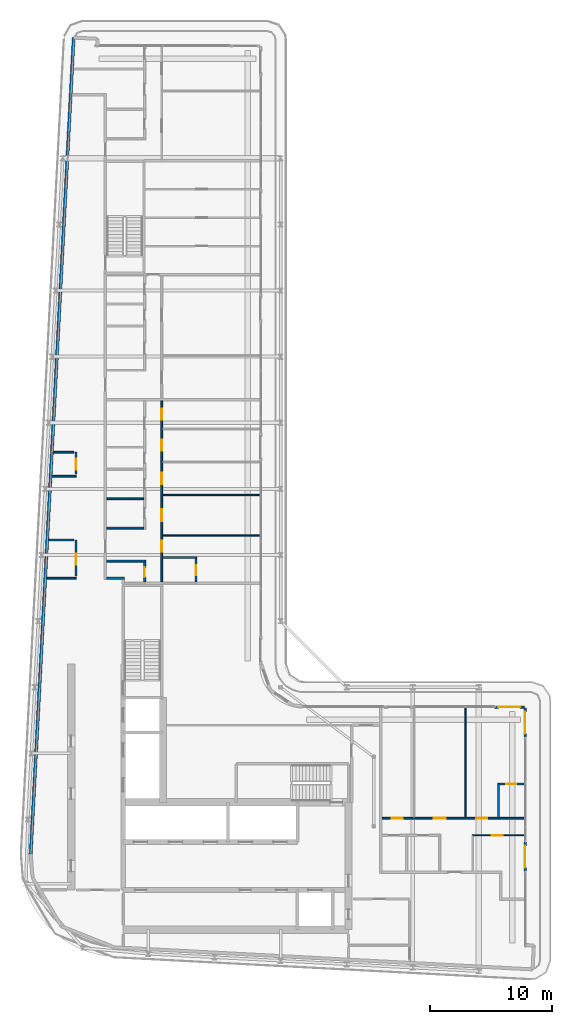
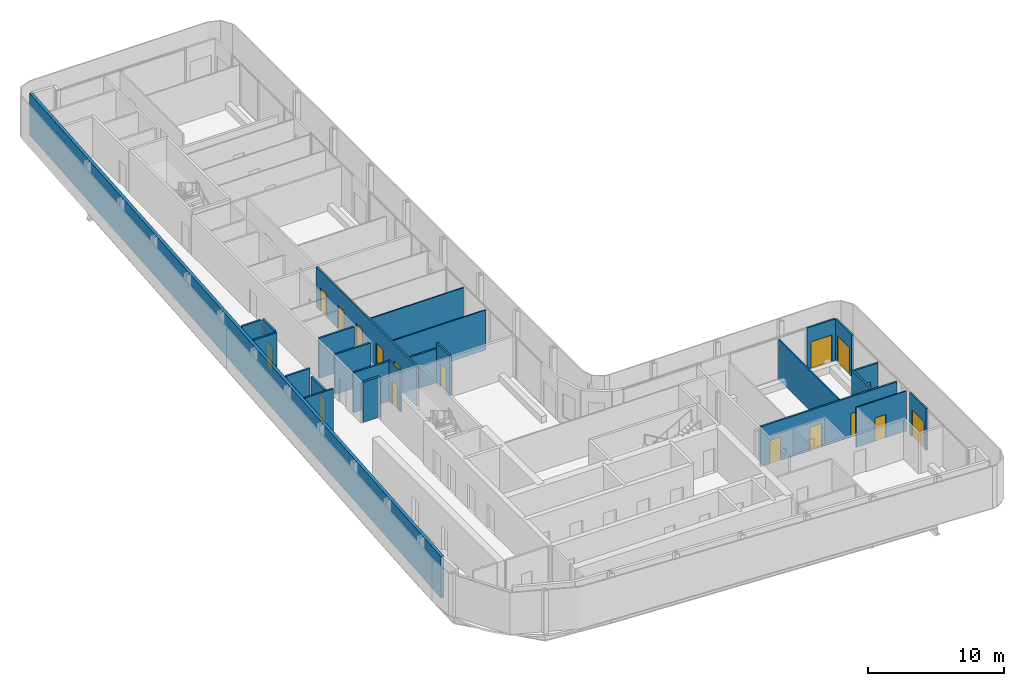
# One storey, part 13 of 21: 25 walls, 17 doors, 17 openings.
"""IFC4 building model written with IfcOpenShell, lengths in metres."""

from ifc_helpers import new_model, si_unit, direction, frame, frame_2d, origin, place, context, subcontext, project, spatial, rectangle, extrude, source, transform, mapped, material, layer, layer_set, type_object, element, fill, save


model = new_model("IFC4")

# Units and contexts
model_context = context("Model", 3, precision=1e-05, world=origin(), true_north=direction((0.0, 1.0)))
body_context = subcontext(model_context, "Body", "Model", "MODEL_VIEW")
ifc_project = project(units=[si_unit("LENGTHUNIT", "METRE"), si_unit("AREAUNIT", "SQUARE_METRE"), si_unit("VOLUMEUNIT", "CUBIC_METRE"), si_unit("PLANEANGLEUNIT", "RADIAN"), si_unit("MASSUNIT", "GRAM", prefix="KILO")], contexts=[model_context])

# Site, building, storey
site_placement = place(None, origin())
site = spatial("IfcSite", under=ifc_project, at=site_placement, CompositionType="ELEMENT")
building_placement = place(site_placement, origin())
building = spatial("IfcBuilding", under=site, at=building_placement, Name="Kheshtan School and Residences Tower", CompositionType="ELEMENT")
storey_placement = place(building_placement, frame((0.0, 0.0, 309.800048828125)))
storey = spatial("IfcBuildingStorey", under=building, at=storey_placement, Name="L73", CompositionType="ELEMENT", Elevation=309.800048828125)

# Walls
ifc_material_1 = material(Name="Gypsum board on steel studs with fire boards", Category="steel")
ifc_layer_1 = layer(ifc_material_1, 0.199951171875)
ifc_layer_set_1 = layer_set([ifc_layer_1], Name="Corridor wall 200")
wall_type_1 = type_object("IfcWallType", Name="Corridor wall 200", PredefinedType="PARTITIONING", material=ifc_layer_set_1)
wall_1_placement = place(storey_placement, frame((33.39990234375, 54.5, 0.0), z_axis=(0.0, 0.0, 1.0), x_axis=(1.0, 0.0, 0.0)))
element("IfcWall", 1, at=wall_1_placement, inside=storey, type_object=wall_type_1, Name="Partition L73-005", PredefinedType="PARTITIONING", context=body_context, shape_type="SweptSolid", body=[
    extrude(rectangle(XDim=1.4501953125, YDim=0.199951171875, at=frame_2d((0.72509765625, 0.0))), origin(), (0.0, 0.0, 1.0), 3.599853515625),
])
ifc_material_2 = material(Name="Concrete C40/50 with ceramic cladding and mineral wool insulation", Category="concrete")
ifc_layer_2 = layer(ifc_material_2, 0.25)
ifc_layer_set_2 = layer_set([ifc_layer_2], Name="External wall 250 ceramic clad")
wall_type_2 = type_object("IfcWallType", Name="External wall 250 ceramic clad", PredefinedType="SOLIDWALL", material=ifc_layer_set_2)
wall_2_placement = place(storey_placement, frame((27.195068359375, 31.968994140625, 0.0), z_axis=(0.0, 0.0, 1.0), x_axis=(0.052554995867, 0.998618031286, 0.0)))
element("IfcWall", 2, at=wall_2_placement, inside=storey, type_object=wall_type_2, Name="External wall L73 4", PredefinedType="SOLIDWALL", context=body_context, shape_type="SweptSolid", body=[
    extrude(rectangle(XDim=66.787353515625, YDim=0.25, at=frame_2d((33.3935546875, 0.0))), origin(), (0.0, 0.0, 1.0), 3.75),
])

# Wall, opening, door
ifc_material_3 = material(Name="Aluminium frame wall with insulated infill", Category="aluminium")
ifc_layer_3 = layer(ifc_material_3, 0.14990234375)
ifc_layer_set_3 = layer_set([ifc_layer_3], Name="Glazing frame wall 150")
wall_type_3 = type_object("IfcWallType", Name="Glazing frame wall 150", PredefinedType="SOLIDWALL", material=ifc_layer_set_3)
wall_3_placement = place(storey_placement, frame((65.10009765625, 43.97509765625, 0.0), z_axis=(0.0, 0.0, 1.0), x_axis=(1.0, 0.0, 0.0)))
wall_3 = element("IfcWall", 3, at=wall_3_placement, inside=storey, type_object=wall_type_3, Name="Balcony door wall L73 12.2", PredefinedType="SOLIDWALL", context=body_context, shape_type="SweptSolid", body=[
    extrude(rectangle(XDim=2.39990234375, YDim=0.14990234375, at=frame_2d((1.199951171875, 0.0))), origin(), (0.0, 0.0, 1.0), 3.75),
])
opening_1_placement = place(wall_3_placement, frame((0.300048828125, 0.0, 0.0)))
opening_1 = element("IfcOpeningElement", 4, at=opening_1_placement, cuts=wall_3, Name="Opening BD", PredefinedType="OPENING", context=body_context, shape_type="SweptSolid", body=[
    extrude(rectangle(XDim=1.800048828125, YDim=2.39990234375, at=frame_2d((0.89990234375, 1.199951171875))), frame((0.0, 0.0849609375, 0.0), z_axis=(0.0, -1.0, 0.0), x_axis=(1.0, 0.0, 0.0)), (0.0, 0.0, 1.0), 0.169921875),
])
ifc_material_4 = material(Name="Clear low-e glass in thermally broken aluminium frame", Category="aluminium")
door_type_1 = type_object("IfcDoorType", Name="Balcony sliding door", OperationType="SLIDING_TO_LEFT", PredefinedType="DOOR", material=ifc_material_4)
shared_shape_1 = source(origin(), body_context, "Body", "SweptSolid", [
    extrude(rectangle(XDim=1.800048828125, YDim=2.39990234375, at=frame_2d((0.89990234375, 1.199951171875))), frame((0.0, 0.02490234375, 0.0), z_axis=(0.0, -1.0, 0.0), x_axis=(1.0, 0.0, 0.0)), (0.0, 0.0, 1.0), 0.050048828125),
])
door_1_placement = place(opening_1_placement, origin())
door_1 = element("IfcDoor", 5, at=door_1_placement, inside=storey, type_object=door_type_1, Name="Balcony door L73 12.2", OperationType="SLIDING_TO_LEFT", OverallHeight=2.39990234375, OverallWidth=1.800048828125, PredefinedType="DOOR", context=body_context, shape_type="MappedRepresentation", body=[
    mapped(shared_shape_1, transform((0.0, 0.0, 0.0), x_axis=(1.0, 0.0, 0.0), y_axis=(0.0, 1.0, 0.0), z_axis=(0.0, 0.0, 1.0), scale=1.0)),
])
fill(opening_1, door_1)

wall_4_placement = place(storey_placement, frame((67.574951171875, 43.89990234375, 0.0), z_axis=(0.0, 0.0, 1.0), x_axis=(0.0, -1.0, 0.0)))
wall_4 = element("IfcWall", 6, at=wall_4_placement, inside=storey, type_object=wall_type_3, Name="Balcony door wall L73 13.1", PredefinedType="SOLIDWALL", context=body_context, shape_type="SweptSolid", body=[
    extrude(rectangle(XDim=2.39990234375, YDim=0.14990234375, at=frame_2d((1.199951171875, 0.0))), origin(), (0.0, 0.0, 1.0), 3.75),
])
opening_2_placement = place(wall_4_placement, frame((0.300048828125, 0.0, 0.0)))
opening_2 = element("IfcOpeningElement", 7, at=opening_2_placement, cuts=wall_4, Name="Opening BD", PredefinedType="OPENING", context=body_context, shape_type="SweptSolid", body=[
    extrude(rectangle(XDim=1.800048828125, YDim=2.39990234375, at=frame_2d((0.89990234375, 1.199951171875))), frame((0.0, 0.0849609375, 0.0), z_axis=(0.0, -1.0, 0.0), x_axis=(1.0, 0.0, 0.0)), (0.0, 0.0, 1.0), 0.169921875),
])
door_2_placement = place(opening_2_placement, origin())
door_2 = element("IfcDoor", 8, at=door_2_placement, inside=storey, type_object=door_type_1, Name="Balcony door L73 13.1", OperationType="SLIDING_TO_LEFT", OverallHeight=2.39990234375, OverallWidth=1.800048828125, PredefinedType="DOOR", context=body_context, shape_type="MappedRepresentation", body=[
    mapped(shared_shape_1, transform((0.0, 0.0, 0.0), x_axis=(1.0, 0.0, 0.0), y_axis=(0.0, 1.0, 0.0), z_axis=(0.0, 0.0, 1.0), scale=1.0)),
])
fill(opening_2, door_2)

wall_5_placement = place(storey_placement, frame((67.574951171875, 32.958984375, 0.0), z_axis=(0.0, 0.0, 1.0), x_axis=(0.0, -1.0, 0.0)))
wall_5 = element("IfcWall", 9, at=wall_5_placement, inside=storey, type_object=wall_type_3, Name="Balcony door wall L73 13.2", PredefinedType="SOLIDWALL", context=body_context, shape_type="SweptSolid", body=[
    extrude(rectangle(XDim=2.39990234375, YDim=0.14990234375, at=frame_2d((1.199951171875, 0.0))), origin(), (0.0, 0.0, 1.0), 3.75),
])
opening_3_placement = place(wall_5_placement, frame((0.300048828125, 0.0, 0.0)))
opening_3 = element("IfcOpeningElement", 10, at=opening_3_placement, cuts=wall_5, Name="Opening BD", PredefinedType="OPENING", context=body_context, shape_type="SweptSolid", body=[
    extrude(rectangle(XDim=1.800048828125, YDim=2.39990234375, at=frame_2d((0.89990234375, 1.199951171875))), frame((0.0, 0.0849609375, 0.0), z_axis=(0.0, -1.0, 0.0), x_axis=(1.0, 0.0, 0.0)), (0.0, 0.0, 1.0), 0.169921875),
])
door_3_placement = place(opening_3_placement, origin())
door_3 = element("IfcDoor", 11, at=door_3_placement, inside=storey, type_object=door_type_1, Name="Balcony door L73 13.2", OperationType="SLIDING_TO_LEFT", OverallHeight=2.39990234375, OverallWidth=1.800048828125, PredefinedType="DOOR", context=body_context, shape_type="MappedRepresentation", body=[
    mapped(shared_shape_1, transform((0.0, 0.0, 0.0), x_axis=(1.0, 0.0, 0.0), y_axis=(0.0, 1.0, 0.0), z_axis=(0.0, 0.0, 1.0), scale=1.0)),
])
fill(opening_3, door_3)

# Walls
ifc_material_5 = material(Name="Gypsum board on steel studs", Category="steel")
ifc_layer_4 = layer(ifc_material_5, 0.10009765625)
ifc_layer_set_4 = layer_set([ifc_layer_4], Name="Gypsum partition 100")
wall_type_4 = type_object("IfcWallType", Name="Gypsum partition 100", PredefinedType="PARTITIONING", material=ifc_layer_set_4)
for number, where, z_axis, x_axis, name in (
    (12, (37.97509765625, 58.0, 0.0), (0.0, 0.0, 1.0), (1.0, 0.0, 0.0), "Partition L73-035"),
    (13, (37.97509765625, 61.300048828125, 0.0), (0.0, 0.0, 1.0), (1.0, 0.0, 0.0), "Partition L73-036"),
):
    element("IfcWall", number, at=place(storey_placement, frame(where, z_axis=z_axis, x_axis=x_axis)), inside=storey, type_object=wall_type_4, Name=name, PredefinedType="PARTITIONING", context=body_context, shape_type="SweptSolid", body=[
        extrude(rectangle(XDim=7.9248046875, YDim=0.10009765625, at=frame_2d((3.96240234375, 0.0))), origin(), (0.0, 0.0, 1.0), 3.599853515625),
    ])
wall_6_placement = place(storey_placement, frame((62.699951171875, 34.97509765625, 0.0), z_axis=(0.0, 0.0, 1.0), x_axis=(0.0, 1.0, 0.0)))
element("IfcWall", 14, at=wall_6_placement, inside=storey, type_object=wall_type_4, Name="Partition L73-052", PredefinedType="PARTITIONING", context=body_context, shape_type="SweptSolid", body=[
    extrude(rectangle(XDim=8.9248046875, YDim=0.10009765625, at=frame_2d((4.46240234375, 0.0))), origin(), (0.0, 0.0, 1.0), 3.599853515625),
])

# Wall, opening, door
wall_7_placement = place(storey_placement, frame((63.25, 33.5, 0.0), z_axis=(0.0, 0.0, 1.0), x_axis=(1.0, 0.0, 0.0)))
wall_7 = element("IfcWall", 15, at=wall_7_placement, inside=storey, type_object=wall_type_4, Name="Partition L73-053", PredefinedType="PARTITIONING", context=body_context, shape_type="SweptSolid", body=[
    extrude(rectangle(XDim=4.25, YDim=0.10009765625, at=frame_2d((2.125, 0.0))), origin(), (0.0, 0.0, 1.0), 3.599853515625),
])
opening_4_placement = place(wall_7_placement, frame((1.60009765625, 0.0, 0.0)))
opening_4 = element("IfcOpeningElement", 16, at=opening_4_placement, cuts=wall_7, Name="Opening D72-005", PredefinedType="OPENING", context=body_context, shape_type="SweptSolid", body=[
    extrude(rectangle(XDim=0.89990234375, YDim=2.10009765625, at=frame_2d((0.449951171875, 1.050048828125))), frame((0.0, 0.06005859375, 0.0), z_axis=(0.0, -1.0, 0.0), x_axis=(1.0, 0.0, 0.0)), (0.0, 0.0, 1.0), 0.1201171875),
])
ifc_material_6 = material(Name="Veneered timber door leaf", Category="wood")
door_type_2 = type_object("IfcDoorType", Name="Door 900 x 2100", OperationType="SINGLE_SWING_LEFT", PredefinedType="DOOR", material=ifc_material_6)
shared_shape_2 = source(origin(), body_context, "Body", "SweptSolid", [
    extrude(rectangle(XDim=0.89990234375, YDim=2.10009765625, at=frame_2d((0.449951171875, 1.050048828125))), frame((0.0, 0.02490234375, 0.0), z_axis=(0.0, -1.0, 0.0), x_axis=(1.0, 0.0, 0.0)), (0.0, 0.0, 1.0), 0.050048828125),
])
door_4_placement = place(opening_4_placement, origin())
door_4 = element("IfcDoor", 17, at=door_4_placement, inside=storey, type_object=door_type_2, Name="Door D72-005", OperationType="SINGLE_SWING_LEFT", OverallHeight=2.10009765625, OverallWidth=0.89990234375, PredefinedType="DOOR", context=body_context, shape_type="MappedRepresentation", body=[
    mapped(shared_shape_2, transform((0.0, 0.0, 0.0), x_axis=(1.0, 0.0, 0.0), y_axis=(0.0, 1.0, 0.0), z_axis=(0.0, 0.0, 1.0), scale=1.0)),
])
fill(opening_4, door_4)

# Wall
ifc_material_7 = material(Name="Fire-board shaft wall system")
ifc_layer_5 = layer(ifc_material_7, 0.14990234375)
ifc_layer_set_5 = layer_set([ifc_layer_5], Name="Service room wall 150")
wall_type_5 = type_object("IfcWallType", Name="Service room wall 150", PredefinedType="PARTITIONING", material=ifc_layer_set_5)
wall_8_placement = place(storey_placement, frame((28.508056640625, 54.5, 0.0), z_axis=(0.0, 0.0, 1.0), x_axis=(1.0, 0.0, 0.0)))
element("IfcWall", 18, at=wall_8_placement, inside=storey, type_object=wall_type_5, Name="Service room wall", PredefinedType="PARTITIONING", context=body_context, shape_type="SweptSolid", body=[
    extrude(rectangle(XDim=2.391845703125, YDim=0.14990234375, at=frame_2d((1.19580078125, 0.0))), origin(), (0.0, 0.0, 1.0), 3.89990234375),
])

# Wall, opening, door
wall_9_placement = place(storey_placement, frame((30.89990234375, 54.695068359375, 0.0), z_axis=(0.0, 0.0, 1.0), x_axis=(0.0, 1.0, 0.0)))
wall_9 = element("IfcWall", 19, at=wall_9_placement, inside=storey, type_object=wall_type_5, Name="Service room wall", PredefinedType="PARTITIONING", context=body_context, shape_type="SweptSolid", body=[
    extrude(rectangle(XDim=2.930908203125, YDim=0.14990234375, at=frame_2d((1.46533203125, 0.0))), origin(), (0.0, 0.0, 1.0), 3.072021484375),
])
opening_5_placement = place(wall_9_placement, frame((0.91796875, 0.0, 0.0)))
opening_5 = element("IfcOpeningElement", 20, at=opening_5_placement, cuts=wall_9, Name="Opening SR90", PredefinedType="OPENING", context=body_context, shape_type="SweptSolid", body=[
    extrude(rectangle(XDim=0.89990234375, YDim=2.199951171875, at=frame_2d((0.449951171875, 1.10009765625))), frame((0.0, 0.0849609375, 0.0), z_axis=(0.0, -1.0, 0.0), x_axis=(1.0, 0.0, 0.0)), (0.0, 0.0, 1.0), 0.169921875),
])
ifc_material_8 = material(Name="Steel door leaf, galvanised", Category="steel")
door_type_3 = type_object("IfcDoorType", Name="Service room door 900 steel 90 min", OperationType="SINGLE_SWING_LEFT", PredefinedType="DOOR", material=ifc_material_8)
shared_shape_3 = source(origin(), body_context, "Body", "SweptSolid", [
    extrude(rectangle(XDim=0.89990234375, YDim=2.199951171875, at=frame_2d((0.449951171875, 1.10009765625))), frame((0.0, 0.02490234375, 0.0), z_axis=(0.0, -1.0, 0.0), x_axis=(1.0, 0.0, 0.0)), (0.0, 0.0, 1.0), 0.050048828125),
])
door_5_placement = place(opening_5_placement, origin())
door_5 = element("IfcDoor", 21, at=door_5_placement, inside=storey, type_object=door_type_3, Name="Service room door", OperationType="SINGLE_SWING_LEFT", OverallHeight=2.199951171875, OverallWidth=0.89990234375, PredefinedType="DOOR", context=body_context, shape_type="MappedRepresentation", body=[
    mapped(shared_shape_3, transform((0.0, 0.0, 0.0), x_axis=(1.0, 0.0, 0.0), y_axis=(0.0, 1.0, 0.0), z_axis=(0.0, 0.0, 1.0), scale=1.0)),
])
fill(opening_5, door_5)

# Walls
wall_10_placement = place(storey_placement, frame((28.673095703125, 57.6259765625, 0.0), z_axis=(0.0, 0.0, 1.0), x_axis=(1.0, 0.0, 0.0)))
element("IfcWall", 22, at=wall_10_placement, inside=storey, type_object=wall_type_5, Name="Service room wall", PredefinedType="PARTITIONING", context=body_context, shape_type="SweptSolid", body=[
    extrude(rectangle(XDim=2.031982421875, YDim=0.14990234375, at=frame_2d((1.01611328125, 0.0))), origin(), (0.0, 0.0, 1.0), 3.89990234375),
])
wall_11_placement = place(storey_placement, frame((28.947021484375, 62.8330078125, 0.0), z_axis=(0.0, 0.0, 1.0), x_axis=(1.0, 0.0, 0.0)))
element("IfcWall", 23, at=wall_11_placement, inside=storey, type_object=wall_type_5, Name="Service room wall", PredefinedType="PARTITIONING", context=body_context, shape_type="SweptSolid", body=[
    extrude(rectangle(XDim=1.952880859375, YDim=0.14990234375, at=frame_2d((0.9765625, 0.0))), origin(), (0.0, 0.0, 1.0), 3.89990234375),
])

# Wall, opening, door
wall_12_placement = place(storey_placement, frame((30.89990234375, 63.028076171875, 0.0), z_axis=(0.0, 0.0, 1.0), x_axis=(0.0, 1.0, 0.0)))
wall_12 = element("IfcWall", 24, at=wall_12_placement, inside=storey, type_object=wall_type_5, Name="Service room wall", PredefinedType="PARTITIONING", context=body_context, shape_type="SweptSolid", body=[
    extrude(rectangle(XDim=1.77197265625, YDim=0.14990234375, at=frame_2d((0.885986328125, 0.0))), origin(), (0.0, 0.0, 1.0), 3.89990234375),
])
opening_6_placement = place(wall_12_placement, frame((0.337890625, 0.0, 0.0)))
opening_6 = element("IfcOpeningElement", 25, at=opening_6_placement, cuts=wall_12, Name="Opening SR90", PredefinedType="OPENING", context=body_context, shape_type="SweptSolid", body=[
    extrude(rectangle(XDim=0.89990234375, YDim=2.199951171875, at=frame_2d((0.449951171875, 1.10009765625))), frame((0.0, 0.0849609375, 0.0), z_axis=(0.0, -1.0, 0.0), x_axis=(1.0, 0.0, 0.0)), (0.0, 0.0, 1.0), 0.169921875),
])
door_6_placement = place(opening_6_placement, origin())
door_6 = element("IfcDoor", 26, at=door_6_placement, inside=storey, type_object=door_type_3, Name="Service room door", OperationType="SINGLE_SWING_LEFT", OverallHeight=2.199951171875, OverallWidth=0.89990234375, PredefinedType="DOOR", context=body_context, shape_type="MappedRepresentation", body=[
    mapped(shared_shape_3, transform((0.0, 0.0, 0.0), x_axis=(1.0, 0.0, 0.0), y_axis=(0.0, 1.0, 0.0), z_axis=(0.0, 0.0, 1.0), scale=1.0)),
])
fill(opening_6, door_6)

# Walls
wall_13_placement = place(storey_placement, frame((29.050048828125, 64.800048828125, 0.0), z_axis=(0.0, 0.0, 1.0), x_axis=(1.0, 0.0, 0.0)))
element("IfcWall", 27, at=wall_13_placement, inside=storey, type_object=wall_type_5, Name="Service room wall", PredefinedType="PARTITIONING", context=body_context, shape_type="SweptSolid", body=[
    extrude(rectangle(XDim=1.655029296875, YDim=0.14990234375, at=frame_2d((0.82763671875, 0.0))), origin(), (0.0, 0.0, 1.0), 3.89990234375),
])
ifc_material_9 = material(Name="Moisture-resistant gypsum board on steel studs", Category="steel")
ifc_layer_6 = layer(ifc_material_9, 0.14990234375)
ifc_layer_set_6 = layer_set([ifc_layer_6], Name="Wet-room partition 150")
wall_type_6 = type_object("IfcWallType", Name="Wet-room partition 150", PredefinedType="PARTITIONING", material=ifc_layer_set_6)
wall_14_placement = place(storey_placement, frame((33.39990234375, 55.89990234375, 0.0), z_axis=(0.0, 0.0, 1.0), x_axis=(1.0, 0.0, 0.0)))
element("IfcWall", 28, at=wall_14_placement, inside=storey, type_object=wall_type_6, Name="Partition L73-006", PredefinedType="PARTITIONING", context=body_context, shape_type="SweptSolid", body=[
    extrude(rectangle(XDim=3.175048828125, YDim=0.14990234375, at=frame_2d((1.58740234375, 0.0))), origin(), (0.0, 0.0, 1.0), 3.599853515625),
])
for number, where, z_axis, x_axis, name in (
    (29, (33.39990234375, 58.60009765625, 0.0), (0.0, 0.0, 1.0), (1.0, 0.0, 0.0), "Partition L73-007"),
    (30, (33.39990234375, 61.0, 0.0), (0.0, 0.0, 1.0), (1.0, 0.0, 0.0), "Partition L73-008"),
):
    element("IfcWall", number, at=place(storey_placement, frame(where, z_axis=z_axis, x_axis=x_axis)), inside=storey, type_object=wall_type_6, Name=name, PredefinedType="PARTITIONING", context=body_context, shape_type="SweptSolid", body=[
        extrude(rectangle(XDim=3.025146484375, YDim=0.14990234375, at=frame_2d((1.5126953125, 0.0))), origin(), (0.0, 0.0, 1.0), 3.599853515625),
    ])

# Wall, opening, door
wall_15_placement = place(storey_placement, frame((36.5, 54.199951171875, 0.0), z_axis=(0.0, 0.0, 1.0), x_axis=(0.0, 1.0, 0.0)))
wall_15 = element("IfcWall", 31, at=wall_15_placement, inside=storey, type_object=wall_type_6, Name="Partition L73-021", PredefinedType="PARTITIONING", context=body_context, shape_type="SweptSolid", body=[
    extrude(rectangle(XDim=1.625, YDim=0.14990234375, at=frame_2d((0.8125, 0.0))), origin(), (0.0, 0.0, 1.0), 3.599853515625),
])
opening_7_placement = place(wall_15_placement, frame((0.39990234375, 0.0, 0.0)))
opening_7 = element("IfcOpeningElement", 32, at=opening_7_placement, cuts=wall_15, Name="Opening D72-020", PredefinedType="OPENING", context=body_context, shape_type="SweptSolid", body=[
    extrude(rectangle(XDim=0.800048828125, YDim=2.10009765625, at=frame_2d((0.39990234375, 1.050048828125))), frame((0.0, 0.0849609375, 0.0), z_axis=(0.0, -1.0, 0.0), x_axis=(1.0, 0.0, 0.0)), (0.0, 0.0, 1.0), 0.169921875),
])
door_type_4 = type_object("IfcDoorType", Name="Door 800 x 2100", OperationType="SINGLE_SWING_LEFT", PredefinedType="DOOR", material=ifc_material_6)
shared_shape_4 = source(origin(), body_context, "Body", "SweptSolid", [
    extrude(rectangle(XDim=0.800048828125, YDim=2.10009765625, at=frame_2d((0.39990234375, 1.050048828125))), frame((0.0, 0.02490234375, 0.0), z_axis=(0.0, -1.0, 0.0), x_axis=(1.0, 0.0, 0.0)), (0.0, 0.0, 1.0), 0.050048828125),
])
door_7_placement = place(opening_7_placement, origin())
door_7 = element("IfcDoor", 33, at=door_7_placement, inside=storey, type_object=door_type_4, Name="Door D72-020", OperationType="SINGLE_SWING_RIGHT", OverallHeight=2.10009765625, OverallWidth=0.800048828125, PredefinedType="DOOR", context=body_context, shape_type="MappedRepresentation", body=[
    mapped(shared_shape_4, transform((0.0, 0.0, 0.0), x_axis=(1.0, 0.0, 0.0), y_axis=(0.0, 1.0, 0.0), z_axis=(0.0, 0.0, 1.0), scale=1.0)),
])
fill(opening_7, door_7)

# Wall, openings, doors
wall_16_placement = place(storey_placement, frame((37.89990234375, 54.199951171875, 0.0), z_axis=(0.0, 0.0, 1.0), x_axis=(0.0, 1.0, 0.0)))
wall_16 = element("IfcWall", 34, at=wall_16_placement, inside=storey, type_object=wall_type_6, Name="Partition L73-030", PredefinedType="PARTITIONING", context=body_context, shape_type="SweptSolid", body=[
    extrude(rectangle(XDim=14.800048828125, YDim=0.14990234375, at=frame_2d((7.39990234375, 0.0))), origin(), (0.0, 0.0, 1.0), 3.599853515625),
])
opening_8_placement = place(wall_16_placement, frame((8.0, 0.0, 0.0)))
opening_8 = element("IfcOpeningElement", 35, at=opening_8_placement, cuts=wall_16, Name="Opening D72-011", PredefinedType="OPENING", context=body_context, shape_type="SweptSolid", body=[
    extrude(rectangle(XDim=0.89990234375, YDim=2.10009765625, at=frame_2d((0.449951171875, 1.050048828125))), frame((0.0, 0.0849609375, 0.0), z_axis=(0.0, -1.0, 0.0), x_axis=(1.0, 0.0, 0.0)), (0.0, 0.0, 1.0), 0.169921875),
])
opening_9_placement = place(wall_16_placement, frame((10.699951171875, 0.0, 0.0)))
opening_9 = element("IfcOpeningElement", 36, at=opening_9_placement, cuts=wall_16, Name="Opening D72-012", PredefinedType="OPENING", context=body_context, shape_type="SweptSolid", body=[
    extrude(rectangle(XDim=0.89990234375, YDim=2.10009765625, at=frame_2d((0.449951171875, 1.050048828125))), frame((0.0, 0.0849609375, 0.0), z_axis=(0.0, -1.0, 0.0), x_axis=(1.0, 0.0, 0.0)), (0.0, 0.0, 1.0), 0.169921875),
])
opening_10_placement = place(wall_16_placement, frame((4.949951171875, 0.0, 0.0)))
opening_10 = element("IfcOpeningElement", 37, at=opening_10_placement, cuts=wall_16, Name="Opening D72-016", PredefinedType="OPENING", context=body_context, shape_type="SweptSolid", body=[
    extrude(rectangle(XDim=1.0, YDim=2.10009765625, at=frame_2d((0.5, 1.050048828125))), frame((0.0, 0.0849609375, 0.0), z_axis=(0.0, -1.0, 0.0), x_axis=(1.0, 0.0, 0.0)), (0.0, 0.0, 1.0), 0.169921875),
])
opening_11_placement = place(wall_16_placement, frame((13.25, 0.0, 0.0)))
opening_11 = element("IfcOpeningElement", 38, at=opening_11_placement, cuts=wall_16, Name="Opening D72-017", PredefinedType="OPENING", context=body_context, shape_type="SweptSolid", body=[
    extrude(rectangle(XDim=0.89990234375, YDim=2.10009765625, at=frame_2d((0.449951171875, 1.050048828125))), frame((0.0, 0.0849609375, 0.0), z_axis=(0.0, -1.0, 0.0), x_axis=(1.0, 0.0, 0.0)), (0.0, 0.0, 1.0), 0.169921875),
])
opening_12_placement = place(wall_16_placement, frame((2.449951171875, 0.0, 0.0)))
opening_12 = element("IfcOpeningElement", 39, at=opening_12_placement, cuts=wall_16, Name="Opening D72-018", PredefinedType="OPENING", context=body_context, shape_type="SweptSolid", body=[
    extrude(rectangle(XDim=0.89990234375, YDim=2.10009765625, at=frame_2d((0.449951171875, 1.050048828125))), frame((0.0, 0.0849609375, 0.0), z_axis=(0.0, -1.0, 0.0), x_axis=(1.0, 0.0, 0.0)), (0.0, 0.0, 1.0), 0.169921875),
])
door_type_5 = type_object("IfcDoorType", Name="Door 1000 x 2100", OperationType="SINGLE_SWING_LEFT", PredefinedType="DOOR", material=ifc_material_6)
shared_shape_5 = source(origin(), body_context, "Body", "SweptSolid", [
    extrude(rectangle(XDim=1.0, YDim=2.10009765625, at=frame_2d((0.5, 1.050048828125))), frame((0.0, 0.02490234375, 0.0), z_axis=(0.0, -1.0, 0.0), x_axis=(1.0, 0.0, 0.0)), (0.0, 0.0, 1.0), 0.050048828125),
])
door_8_placement = place(opening_10_placement, origin())
door_8 = element("IfcDoor", 40, at=door_8_placement, inside=storey, type_object=door_type_5, Name="Door D72-016", OperationType="SINGLE_SWING_LEFT", OverallHeight=2.10009765625, OverallWidth=1.0, PredefinedType="DOOR", context=body_context, shape_type="MappedRepresentation", body=[
    mapped(shared_shape_5, transform((0.0, 0.0, 0.0), x_axis=(1.0, 0.0, 0.0), y_axis=(0.0, 1.0, 0.0), z_axis=(0.0, 0.0, 1.0), scale=1.0)),
])
fill(opening_10, door_8)
door_9_placement = place(opening_8_placement, origin())
door_9 = element("IfcDoor", 41, at=door_9_placement, inside=storey, type_object=door_type_2, Name="Door D72-011", OperationType="SINGLE_SWING_LEFT", OverallHeight=2.10009765625, OverallWidth=0.89990234375, PredefinedType="DOOR", context=body_context, shape_type="MappedRepresentation", body=[
    mapped(shared_shape_2, transform((0.0, 0.0, 0.0), x_axis=(1.0, 0.0, 0.0), y_axis=(0.0, 1.0, 0.0), z_axis=(0.0, 0.0, 1.0), scale=1.0)),
])
fill(opening_8, door_9)
door_10_placement = place(opening_9_placement, origin())
door_10 = element("IfcDoor", 42, at=door_10_placement, inside=storey, type_object=door_type_2, Name="Door D72-012", OperationType="SINGLE_SWING_RIGHT", OverallHeight=2.10009765625, OverallWidth=0.89990234375, PredefinedType="DOOR", context=body_context, shape_type="MappedRepresentation", body=[
    mapped(shared_shape_2, transform((0.0, 0.0, 0.0), x_axis=(1.0, 0.0, 0.0), y_axis=(0.0, 1.0, 0.0), z_axis=(0.0, 0.0, 1.0), scale=1.0)),
])
fill(opening_9, door_10)
door_11_placement = place(opening_11_placement, origin())
door_11 = element("IfcDoor", 43, at=door_11_placement, inside=storey, type_object=door_type_2, Name="Door D72-017", OperationType="SINGLE_SWING_LEFT", OverallHeight=2.10009765625, OverallWidth=0.89990234375, PredefinedType="DOOR", context=body_context, shape_type="MappedRepresentation", body=[
    mapped(shared_shape_2, transform((0.0, 0.0, 0.0), x_axis=(1.0, 0.0, 0.0), y_axis=(0.0, 1.0, 0.0), z_axis=(0.0, 0.0, 1.0), scale=1.0)),
])
fill(opening_11, door_11)
door_12_placement = place(opening_12_placement, origin())
door_12 = element("IfcDoor", 44, at=door_12_placement, inside=storey, type_object=door_type_2, Name="Door D72-018", OperationType="SINGLE_SWING_LEFT", OverallHeight=2.10009765625, OverallWidth=0.89990234375, PredefinedType="DOOR", context=body_context, shape_type="MappedRepresentation", body=[
    mapped(shared_shape_2, transform((0.0, 0.0, 0.0), x_axis=(1.0, 0.0, 0.0), y_axis=(0.0, 1.0, 0.0), z_axis=(0.0, 0.0, 1.0), scale=1.0)),
])
fill(opening_12, door_12)

# Wall
wall_17_placement = place(storey_placement, frame((37.97509765625, 56.199951171875, 0.0), z_axis=(0.0, 0.0, 1.0), x_axis=(1.0, 0.0, 0.0)))
element("IfcWall", 45, at=wall_17_placement, inside=storey, type_object=wall_type_6, Name="Partition L73-034", PredefinedType="PARTITIONING", context=body_context, shape_type="SweptSolid", body=[
    extrude(rectangle(XDim=2.7998046875, YDim=0.14990234375, at=frame_2d((1.39990234375, 0.0))), origin(), (0.0, 0.0, 1.0), 3.072021484375),
])

# Wall, opening, door
wall_18_placement = place(storey_placement, frame((40.699951171875, 54.199951171875, 0.0), z_axis=(0.0, 0.0, 1.0), x_axis=(0.0, 1.0, 0.0)))
wall_18 = element("IfcWall", 46, at=wall_18_placement, inside=storey, type_object=wall_type_6, Name="Partition L73-042", PredefinedType="PARTITIONING", context=body_context, shape_type="SweptSolid", body=[
    extrude(rectangle(XDim=1.925048828125, YDim=0.14990234375, at=frame_2d((0.96240234375, 0.0))), origin(), (0.0, 0.0, 1.0), 3.599853515625),
])
opening_13_placement = place(wall_18_placement, frame((0.550048828125, 0.0, 0.0)))
opening_13 = element("IfcOpeningElement", 47, at=opening_13_placement, cuts=wall_18, Name="Opening D72-013", PredefinedType="OPENING", context=body_context, shape_type="SweptSolid", body=[
    extrude(rectangle(XDim=0.800048828125, YDim=2.10009765625, at=frame_2d((0.39990234375, 1.050048828125))), frame((0.0, 0.0849609375, 0.0), z_axis=(0.0, -1.0, 0.0), x_axis=(1.0, 0.0, 0.0)), (0.0, 0.0, 1.0), 0.169921875),
])
door_13_placement = place(opening_13_placement, origin())
door_13 = element("IfcDoor", 48, at=door_13_placement, inside=storey, type_object=door_type_4, Name="Door D72-013", OperationType="SINGLE_SWING_RIGHT", OverallHeight=2.10009765625, OverallWidth=0.800048828125, PredefinedType="DOOR", context=body_context, shape_type="MappedRepresentation", body=[
    mapped(shared_shape_4, transform((0.0, 0.0, 0.0), x_axis=(1.0, 0.0, 0.0), y_axis=(0.0, 1.0, 0.0), z_axis=(0.0, 0.0, 1.0), scale=1.0)),
])
fill(opening_13, door_13)

# Wall, openings, doors
wall_19_placement = place(storey_placement, frame((55.89990234375, 34.89990234375, 0.0), z_axis=(0.0, 0.0, 1.0), x_axis=(1.0, 0.0, 0.0)))
wall_19 = element("IfcWall", 49, at=wall_19_placement, inside=storey, type_object=wall_type_6, Name="Partition L73-048", PredefinedType="PARTITIONING", context=body_context, shape_type="SweptSolid", body=[
    extrude(rectangle(XDim=11.60009765625, YDim=0.14990234375, at=frame_2d((5.800048828125, 0.0))), origin(), (0.0, 0.0, 1.0), 3.599853515625),
])
opening_14_placement = place(wall_19_placement, frame((0.800048828125, 0.0, 0.0)))
opening_14 = element("IfcOpeningElement", 50, at=opening_14_placement, cuts=wall_19, Name="Opening D72-002", PredefinedType="OPENING", context=body_context, shape_type="SweptSolid", body=[
    extrude(rectangle(XDim=0.89990234375, YDim=2.10009765625, at=frame_2d((0.449951171875, 1.050048828125))), frame((0.0, 0.0849609375, 0.0), z_axis=(0.0, -1.0, 0.0), x_axis=(1.0, 0.0, 0.0)), (0.0, 0.0, 1.0), 0.169921875),
])
opening_15_placement = place(wall_19_placement, frame((4.199951171875, 0.0, 0.0)))
opening_15 = element("IfcOpeningElement", 51, at=opening_15_placement, cuts=wall_19, Name="Opening D72-006", PredefinedType="OPENING", context=body_context, shape_type="SweptSolid", body=[
    extrude(rectangle(XDim=1.0, YDim=2.10009765625, at=frame_2d((0.5, 1.050048828125))), frame((0.0, 0.0849609375, 0.0), z_axis=(0.0, -1.0, 0.0), x_axis=(1.0, 0.0, 0.0)), (0.0, 0.0, 1.0), 0.169921875),
])
opening_16_placement = place(wall_19_placement, frame((7.699951171875, 0.0, 0.0)))
opening_16 = element("IfcOpeningElement", 52, at=opening_16_placement, cuts=wall_19, Name="Opening D72-007", PredefinedType="OPENING", context=body_context, shape_type="SweptSolid", body=[
    extrude(rectangle(XDim=0.89990234375, YDim=2.10009765625, at=frame_2d((0.449951171875, 1.050048828125))), frame((0.0, 0.0849609375, 0.0), z_axis=(0.0, -1.0, 0.0), x_axis=(1.0, 0.0, 0.0)), (0.0, 0.0, 1.0), 0.169921875),
])
door_14_placement = place(opening_15_placement, origin())
door_14 = element("IfcDoor", 53, at=door_14_placement, inside=storey, type_object=door_type_5, Name="Door D72-006", OperationType="SINGLE_SWING_LEFT", OverallHeight=2.10009765625, OverallWidth=1.0, PredefinedType="DOOR", context=body_context, shape_type="MappedRepresentation", body=[
    mapped(shared_shape_5, transform((0.0, 0.0, 0.0), x_axis=(1.0, 0.0, 0.0), y_axis=(0.0, 1.0, 0.0), z_axis=(0.0, 0.0, 1.0), scale=1.0)),
])
fill(opening_15, door_14)
door_15_placement = place(opening_14_placement, origin())
door_15 = element("IfcDoor", 54, at=door_15_placement, inside=storey, type_object=door_type_2, Name="Door D72-002", OperationType="SINGLE_SWING_LEFT", OverallHeight=2.10009765625, OverallWidth=0.89990234375, PredefinedType="DOOR", context=body_context, shape_type="MappedRepresentation", body=[
    mapped(shared_shape_2, transform((0.0, 0.0, 0.0), x_axis=(1.0, 0.0, 0.0), y_axis=(0.0, 1.0, 0.0), z_axis=(0.0, 0.0, 1.0), scale=1.0)),
])
fill(opening_14, door_15)
door_16_placement = place(opening_16_placement, origin())
door_16 = element("IfcDoor", 55, at=door_16_placement, inside=storey, type_object=door_type_2, Name="Door D72-007", OperationType="SINGLE_SWING_RIGHT", OverallHeight=2.10009765625, OverallWidth=0.89990234375, PredefinedType="DOOR", context=body_context, shape_type="MappedRepresentation", body=[
    mapped(shared_shape_2, transform((0.0, 0.0, 0.0), x_axis=(1.0, 0.0, 0.0), y_axis=(0.0, 1.0, 0.0), z_axis=(0.0, 0.0, 1.0), scale=1.0)),
])
fill(opening_16, door_16)

# Wall
wall_20_placement = place(storey_placement, frame((65.39990234375, 34.97509765625, 0.0), z_axis=(0.0, 0.0, 1.0), x_axis=(0.0, 1.0, 0.0)))
element("IfcWall", 56, at=wall_20_placement, inside=storey, type_object=wall_type_6, Name="Partition L73-055", PredefinedType="PARTITIONING", context=body_context, shape_type="SweptSolid", body=[
    extrude(rectangle(XDim=2.7998046875, YDim=0.14990234375, at=frame_2d((1.39990234375, 0.0))), origin(), (0.0, 0.0, 1.0), 3.599853515625),
])

# Wall, opening, door
wall_21_placement = place(storey_placement, frame((65.47509765625, 37.699951171875, 0.0), z_axis=(0.0, 0.0, 1.0), x_axis=(1.0, 0.0, 0.0)))
wall_21 = element("IfcWall", 57, at=wall_21_placement, inside=storey, type_object=wall_type_6, Name="Partition L73-056", PredefinedType="PARTITIONING", context=body_context, shape_type="SweptSolid", body=[
    extrude(rectangle(XDim=2.02490234375, YDim=0.14990234375, at=frame_2d((1.012451171875, 0.0))), origin(), (0.0, 0.0, 1.0), 3.599853515625),
])
opening_17_placement = place(wall_21_placement, frame((0.574951171875, 0.0, 0.0)))
opening_17 = element("IfcOpeningElement", 58, at=opening_17_placement, cuts=wall_21, Name="Opening D72-003", PredefinedType="OPENING", context=body_context, shape_type="SweptSolid", body=[
    extrude(rectangle(XDim=0.800048828125, YDim=2.10009765625, at=frame_2d((0.39990234375, 1.050048828125))), frame((0.0, 0.0849609375, 0.0), z_axis=(0.0, -1.0, 0.0), x_axis=(1.0, 0.0, 0.0)), (0.0, 0.0, 1.0), 0.169921875),
])
door_17_placement = place(opening_17_placement, origin())
door_17 = element("IfcDoor", 59, at=door_17_placement, inside=storey, type_object=door_type_4, Name="Door D72-003", OperationType="SINGLE_SWING_RIGHT", OverallHeight=2.10009765625, OverallWidth=0.800048828125, PredefinedType="DOOR", context=body_context, shape_type="MappedRepresentation", body=[
    mapped(shared_shape_4, transform((0.0, 0.0, 0.0), x_axis=(1.0, 0.0, 0.0), y_axis=(0.0, 1.0, 0.0), z_axis=(0.0, 0.0, 1.0), scale=1.0)),
])
fill(opening_17, door_17)

save(model, "model.ifc")
